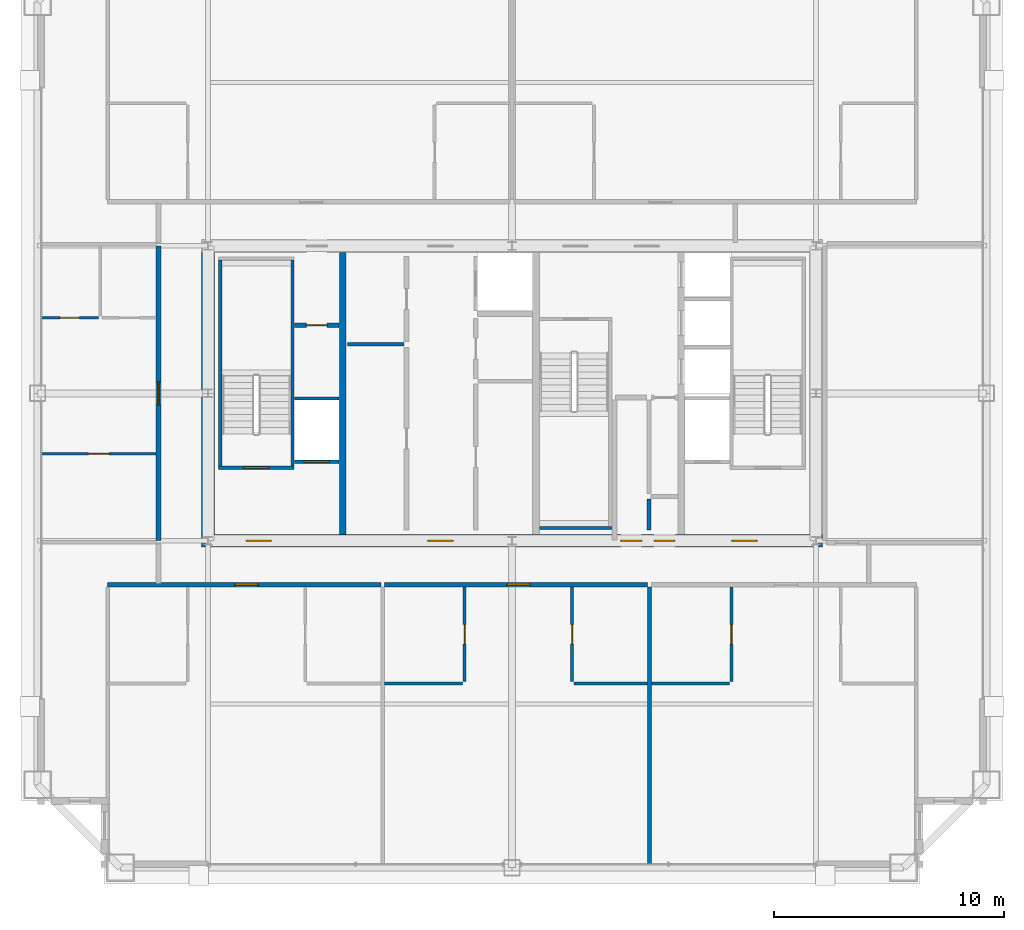
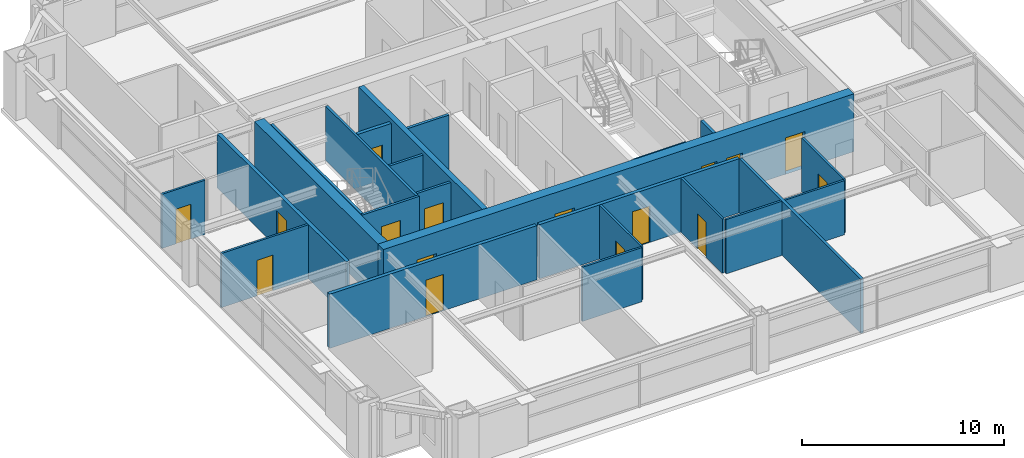
# One storey, part 33 of 37: 24 walls, 16 doors, 16 openings.
"""IFC4 building model written with IfcOpenShell, lengths in metres."""

from ifc_helpers import new_model, si_unit, direction, frame, frame_2d, origin, place, context, subcontext, project, spatial, rectangle, extrude, source, transform, mapped, material, layer, layer_set, type_object, element, fill, save


model = new_model("IFC4")

# Units and contexts
model_context = context("Model", 3, precision=1e-05, world=origin(), true_north=direction((0.0, 1.0)))
body_context = subcontext(model_context, "Body", "Model", "MODEL_VIEW")
ifc_project = project(units=[si_unit("LENGTHUNIT", "METRE"), si_unit("AREAUNIT", "SQUARE_METRE"), si_unit("VOLUMEUNIT", "CUBIC_METRE"), si_unit("PLANEANGLEUNIT", "RADIAN"), si_unit("MASSUNIT", "GRAM", prefix="KILO"), si_unit("THERMODYNAMICTEMPERATUREUNIT", "KELVIN"), si_unit("POWERUNIT", "WATT")], contexts=[model_context])

# Site, building, storey
site_placement = place(None, origin())
site = spatial("IfcSite", under=ifc_project, at=site_placement, CompositionType="ELEMENT")
building_placement = place(site_placement, origin())
building = spatial("IfcBuilding", under=site, at=building_placement, Name="Yuzanri Waterfront Tower", CompositionType="ELEMENT")
storey_placement = place(building_placement, frame((0.0, 0.0, 275.10009765625)))
storey = spatial("IfcBuildingStorey", under=building, at=storey_placement, Name="L73", CompositionType="ELEMENT", Elevation=275.10009765625)

# Wall, opening, door
ifc_material_1 = material(Name="Moisture-Resistant Gypsum Stud Wall", Category="gypsum")
ifc_layer_1 = layer(ifc_material_1, 0.1201171875)
ifc_layer_set_1 = layer_set([ifc_layer_1], Name="Moisture-Resistant Gypsum Stud Wall")
wall_type_1 = type_object("IfcWallType", Name="Bathroom and Kitchen Wet Partition 120", PredefinedType="PARTITIONING", material=ifc_layer_set_1)
wall_1_placement = place(storey_placement, frame((34.94091796875, 13.280029296875, 0.0), z_axis=(0.0, 0.0, 1.0), x_axis=(0.0, 1.0, 0.0)))
wall_1 = element("IfcWall", 1, at=wall_1_placement, inside=storey, type_object=wall_type_1, Name="L73 Partition UW-L73-HS2-SUB-1-E", PredefinedType="PARTITIONING", context=body_context, shape_type="SweptSolid", body=[
    extrude(rectangle(XDim=4.10986328125, YDim=0.1201171875, at=frame_2d((2.054931640625, 0.0))), origin(), (0.0, 0.0, 1.0), 3.27978515625),
])
opening_1_placement = place(wall_1_placement, frame((1.6298828125, 0.0, 0.0)))
opening_1 = element("IfcOpeningElement", 2, at=opening_1_placement, cuts=wall_1, Name="Opening ID-0850", PredefinedType="OPENING", context=body_context, shape_type="SweptSolid", body=[
    extrude(rectangle(XDim=0.85009765625, YDim=2.10009765625, at=frame_2d((0.425048828125, 1.050048828125))), frame((0.0, 0.074951171875, 0.0), z_axis=(0.0, -1.0, 0.0), x_axis=(1.0, 0.0, 0.0)), (0.0, 0.0, 1.0), 0.14990234375),
])
ifc_material_2 = material(Name="Moisture-Resistant Lacquered Timber", Category="wood")
door_type_1 = type_object("IfcDoorType", Name="En-Suite Bathroom and Kitchen Swing Door 850x2100", OperationType="NOTDEFINED", PredefinedType="DOOR", material=ifc_material_2)
shared_shape_1 = source(origin(), body_context, "Body", "SweptSolid", [
    extrude(rectangle(XDim=0.85009765625, YDim=2.10009765625, at=frame_2d((0.425048828125, 1.050048828125))), frame((0.0, 0.02490234375, 0.0), z_axis=(0.0, -1.0, 0.0), x_axis=(1.0, 0.0, 0.0)), (0.0, 0.0, 1.0), 0.050048828125),
])
door_1_placement = place(opening_1_placement, origin())
door_1 = element("IfcDoor", 3, at=door_1_placement, inside=storey, type_object=door_type_1, Name="L73 Suite Interior Room Door", OperationType="SINGLE_SWING_LEFT", OverallHeight=2.10009765625, OverallWidth=0.85009765625, PredefinedType="DOOR", context=body_context, shape_type="MappedRepresentation", body=[
    mapped(shared_shape_1, transform((0.0, 0.0, 0.0), scale=1.0)),
])
fill(opening_1, door_1)

wall_2_placement = place(storey_placement, frame((39.610107421875, 13.280029296875, 0.0), z_axis=(0.0, 0.0, 1.0), x_axis=(0.0, 1.0, 0.0)))
wall_2 = element("IfcWall", 4, at=wall_2_placement, inside=storey, type_object=wall_type_1, Name="L73 Partition UW-L73-HS2-SUB-2-W", PredefinedType="PARTITIONING", context=body_context, shape_type="SweptSolid", body=[
    extrude(rectangle(XDim=4.10986328125, YDim=0.1201171875, at=frame_2d((2.054931640625, 0.0))), origin(), (0.0, 0.0, 1.0), 3.27978515625),
])
opening_2_placement = place(wall_2_placement, frame((1.6298828125, 0.0, 0.0)))
opening_2 = element("IfcOpeningElement", 5, at=opening_2_placement, cuts=wall_2, Name="Opening ID-0850", PredefinedType="OPENING", context=body_context, shape_type="SweptSolid", body=[
    extrude(rectangle(XDim=0.85009765625, YDim=2.10009765625, at=frame_2d((0.425048828125, 1.050048828125))), frame((0.0, 0.074951171875, 0.0), z_axis=(0.0, -1.0, 0.0), x_axis=(1.0, 0.0, 0.0)), (0.0, 0.0, 1.0), 0.14990234375),
])
door_2_placement = place(opening_2_placement, origin())
door_2 = element("IfcDoor", 6, at=door_2_placement, inside=storey, type_object=door_type_1, Name="L73 Suite Interior Room Door", OperationType="SINGLE_SWING_RIGHT", OverallHeight=2.10009765625, OverallWidth=0.85009765625, PredefinedType="DOOR", context=body_context, shape_type="MappedRepresentation", body=[
    mapped(shared_shape_1, transform((0.0, 0.0, 0.0), scale=1.0)),
])
fill(opening_2, door_2)

wall_3_placement = place(storey_placement, frame((46.530029296875, 13.280029296875, 0.0), z_axis=(0.0, 0.0, 1.0), x_axis=(0.0, 1.0, 0.0)))
wall_3 = element("IfcWall", 7, at=wall_3_placement, inside=storey, type_object=wall_type_1, Name="L73 Partition UW-L73-HS3-SUB-1-E", PredefinedType="PARTITIONING", context=body_context, shape_type="SweptSolid", body=[
    extrude(rectangle(XDim=4.10986328125, YDim=0.1201171875, at=frame_2d((2.054931640625, 0.0))), origin(), (0.0, 0.0, 1.0), 3.27978515625),
])
opening_3_placement = place(wall_3_placement, frame((1.6298828125, 0.0, 0.0)))
opening_3 = element("IfcOpeningElement", 8, at=opening_3_placement, cuts=wall_3, Name="Opening ID-0850", PredefinedType="OPENING", context=body_context, shape_type="SweptSolid", body=[
    extrude(rectangle(XDim=0.85009765625, YDim=2.10009765625, at=frame_2d((0.425048828125, 1.050048828125))), frame((0.0, 0.074951171875, 0.0), z_axis=(0.0, -1.0, 0.0), x_axis=(1.0, 0.0, 0.0)), (0.0, 0.0, 1.0), 0.14990234375),
])
door_3_placement = place(opening_3_placement, origin())
door_3 = element("IfcDoor", 9, at=door_3_placement, inside=storey, type_object=door_type_1, Name="L73 Suite Interior Room Door", OperationType="SINGLE_SWING_RIGHT", OverallHeight=2.10009765625, OverallWidth=0.85009765625, PredefinedType="DOOR", context=body_context, shape_type="MappedRepresentation", body=[
    mapped(shared_shape_1, transform((0.0, 0.0, 0.0), scale=1.0)),
])
fill(opening_3, door_3)

wall_4_placement = place(storey_placement, frame((16.550048828125, 29.080078125, 0.0), z_axis=(0.0, 0.0, 1.0), x_axis=(1.0, 0.0, 0.0)))
wall_4 = element("IfcWall", 10, at=wall_4_placement, inside=storey, type_object=wall_type_1, Name="L73 Partition UW-L73-HW1-SUB-1-S", PredefinedType="PARTITIONING", context=body_context, shape_type="SweptSolid", body=[
    extrude(rectangle(XDim=2.48486328125, YDim=0.1201171875, at=frame_2d((1.242431640625, 0.0))), origin(), (0.0, 0.0, 1.0), 3.27978515625),
])
opening_4_placement = place(wall_4_placement, frame((0.8173828125, 0.0, 0.0)))
opening_4 = element("IfcOpeningElement", 11, at=opening_4_placement, cuts=wall_4, Name="Opening ID-0850", PredefinedType="OPENING", context=body_context, shape_type="SweptSolid", body=[
    extrude(rectangle(XDim=0.85009765625, YDim=2.10009765625, at=frame_2d((0.425048828125, 1.050048828125))), frame((0.0, 0.074951171875, 0.0), z_axis=(0.0, -1.0, 0.0), x_axis=(1.0, 0.0, 0.0)), (0.0, 0.0, 1.0), 0.14990234375),
])
door_4_placement = place(opening_4_placement, origin())
door_4 = element("IfcDoor", 12, at=door_4_placement, inside=storey, type_object=door_type_1, Name="L73 Suite Interior Room Door", OperationType="SINGLE_SWING_LEFT", OverallHeight=2.10009765625, OverallWidth=0.85009765625, PredefinedType="DOOR", context=body_context, shape_type="MappedRepresentation", body=[
    mapped(shared_shape_1, transform((0.0, 0.0, 0.0), scale=1.0)),
])
fill(opening_4, door_4)

wall_5_placement = place(storey_placement, frame((16.550048828125, 23.179931640625, 0.0), z_axis=(0.0, 0.0, 1.0), x_axis=(1.0, 0.0, 0.0)))
wall_5 = element("IfcWall", 13, at=wall_5_placement, inside=storey, type_object=wall_type_1, Name="L73 Partition UW-L73-HW1-SUB-3-N", PredefinedType="PARTITIONING", context=body_context, shape_type="SweptSolid", body=[
    extrude(rectangle(XDim=5.0, YDim=0.1201171875, at=frame_2d((2.5, 0.0))), origin(), (0.0, 0.0, 1.0), 3.27978515625),
])
opening_5_placement = place(wall_5_placement, frame((2.050048828125, 0.0, 0.0)))
opening_5 = element("IfcOpeningElement", 14, at=opening_5_placement, cuts=wall_5, Name="Opening ID-0900", PredefinedType="OPENING", context=body_context, shape_type="SweptSolid", body=[
    extrude(rectangle(XDim=0.89990234375, YDim=2.14990234375, at=frame_2d((0.449951171875, 1.074951171875))), frame((0.0, 0.074951171875, 0.0), z_axis=(0.0, -1.0, 0.0), x_axis=(1.0, 0.0, 0.0)), (0.0, 0.0, 1.0), 0.14990234375),
])
ifc_material_3 = material(Name="Stained Walnut Veneer Timber", Category="wood")
door_type_2 = type_object("IfcDoorType", Name="Bedroom and Study Interior Swing Door 900x2150", OperationType="NOTDEFINED", PredefinedType="DOOR", material=ifc_material_3)
shared_shape_2 = source(origin(), body_context, "Body", "SweptSolid", [
    extrude(rectangle(XDim=0.89990234375, YDim=2.14990234375, at=frame_2d((0.449951171875, 1.074951171875))), frame((0.0, 0.02490234375, 0.0), z_axis=(0.0, -1.0, 0.0), x_axis=(1.0, 0.0, 0.0)), (0.0, 0.0, 1.0), 0.050048828125),
])
door_5_placement = place(opening_5_placement, origin())
door_5 = element("IfcDoor", 15, at=door_5_placement, inside=storey, type_object=door_type_2, Name="L73 Suite Interior Room Door", OperationType="SINGLE_SWING_LEFT", OverallHeight=2.14990234375, OverallWidth=0.89990234375, PredefinedType="DOOR", context=body_context, shape_type="MappedRepresentation", body=[
    mapped(shared_shape_2, transform((0.0, 0.0, 0.0), scale=1.0)),
])
fill(opening_5, door_5)

# Wall, openings, doors
ifc_material_4 = material(Name="Concrete C50", Category="concrete")
ifc_layer_2 = layer(ifc_material_4, 0.550048828125)
ifc_layer_set_2 = layer_set([ifc_layer_2], Name="Concrete C50")
wall_type_2 = type_object("IfcWallType", Name="Concrete C50 Upper-Mid Zone Core Shear Wall 550", PredefinedType="SHEAR", material=ifc_layer_set_2)
wall_6_placement = place(storey_placement, frame((23.52490234375, 19.39990234375, 0.0), z_axis=(0.0, 0.0, 1.0), x_axis=(1.0, 0.0, 0.0)))
wall_6 = element("IfcWall", 16, at=wall_6_placement, inside=storey, type_object=wall_type_2, Name="L73 Core South Shear Wall", PredefinedType="SHEAR", context=body_context, shape_type="SweptSolid", body=[
    extrude(rectangle(XDim=26.9501953125, YDim=0.550048828125, at=frame_2d((13.47509765625, 0.0))), origin(), (0.0, 0.0, 1.0), 3.5),
])
opening_6_placement = place(wall_6_placement, frame((1.925048828125, 0.0, 0.0)))
opening_6 = element("IfcOpeningElement", 17, at=opening_6_placement, cuts=wall_6, Name="Opening FD-1100", PredefinedType="OPENING", context=body_context, shape_type="SweptSolid", body=[
    extrude(rectangle(XDim=1.10009765625, YDim=2.199951171875, at=frame_2d((0.550048828125, 1.10009765625))), frame((0.0, 0.2900390625, 0.0), z_axis=(0.0, -1.0, 0.0), x_axis=(1.0, 0.0, 0.0)), (0.0, 0.0, 1.0), 0.579833984375),
])
opening_7_placement = place(wall_6_placement, frame((9.824951171875, 0.0, 0.0)))
opening_7 = element("IfcOpeningElement", 18, at=opening_7_placement, cuts=wall_6, Name="Opening FD-1100", PredefinedType="OPENING", context=body_context, shape_type="SweptSolid", body=[
    extrude(rectangle(XDim=1.10009765625, YDim=2.199951171875, at=frame_2d((0.550048828125, 1.10009765625))), frame((0.0, 0.2900390625, 0.0), z_axis=(0.0, -1.0, 0.0), x_axis=(1.0, 0.0, 0.0)), (0.0, 0.0, 1.0), 0.579833984375),
])
opening_8_placement = place(wall_6_placement, frame((23.02490234375, 0.0, 0.0)))
opening_8 = element("IfcOpeningElement", 19, at=opening_8_placement, cuts=wall_6, Name="Opening FD-1100", PredefinedType="OPENING", context=body_context, shape_type="SweptSolid", body=[
    extrude(rectangle(XDim=1.10009765625, YDim=2.199951171875, at=frame_2d((0.550048828125, 1.10009765625))), frame((0.0, 0.2900390625, 0.0), z_axis=(0.0, -1.0, 0.0), x_axis=(1.0, 0.0, 0.0)), (0.0, 0.0, 1.0), 0.579833984375),
])
opening_9_placement = place(wall_6_placement, frame((19.64501953125, 0.0, 0.0)))
opening_9 = element("IfcOpeningElement", 20, at=opening_9_placement, cuts=wall_6, Name="Opening FD-0900", PredefinedType="OPENING", context=body_context, shape_type="SweptSolid", body=[
    extrude(rectangle(XDim=0.89990234375, YDim=2.14990234375, at=frame_2d((0.449951171875, 1.074951171875))), frame((0.0, 0.2900390625, 0.0), z_axis=(0.0, -1.0, 0.0), x_axis=(1.0, 0.0, 0.0)), (0.0, 0.0, 1.0), 0.579833984375),
])
opening_10_placement = place(wall_6_placement, frame((18.205078125, 0.0, 0.0)))
opening_10 = element("IfcOpeningElement", 21, at=opening_10_placement, cuts=wall_6, Name="Opening FD-0900", PredefinedType="OPENING", context=body_context, shape_type="SweptSolid", body=[
    extrude(rectangle(XDim=0.89990234375, YDim=2.14990234375, at=frame_2d((0.449951171875, 1.074951171875))), frame((0.0, 0.2900390625, 0.0), z_axis=(0.0, -1.0, 0.0), x_axis=(1.0, 0.0, 0.0)), (0.0, 0.0, 1.0), 0.579833984375),
])
ifc_material_5 = material(Name="Painted Galvanized Fire Steel", Category="steel")
door_type_3 = type_object("IfcDoorType", Name="Smoke-Proof Stair and Lobby Fire Door 1100x2200", OperationType="NOTDEFINED", PredefinedType="DOOR", material=ifc_material_5)
shared_shape_3 = source(origin(), body_context, "Body", "SweptSolid", [
    extrude(rectangle(XDim=1.10009765625, YDim=2.199951171875, at=frame_2d((0.550048828125, 1.10009765625))), frame((0.0, 0.02490234375, 0.0), z_axis=(0.0, -1.0, 0.0), x_axis=(1.0, 0.0, 0.0)), (0.0, 0.0, 1.0), 0.050048828125),
])
door_6_placement = place(opening_6_placement, origin())
door_6 = element("IfcDoor", 22, at=door_6_placement, inside=storey, type_object=door_type_3, Name="L73 West Firefighting Lobby Door", OperationType="SINGLE_SWING_RIGHT", OverallHeight=2.199951171875, OverallWidth=1.10009765625, PredefinedType="DOOR", context=body_context, shape_type="MappedRepresentation", body=[
    mapped(shared_shape_3, transform((0.0, 0.0, 0.0), scale=1.0)),
])
fill(opening_6, door_6)
door_7_placement = place(opening_7_placement, origin())
door_7 = element("IfcDoor", 23, at=door_7_placement, inside=storey, type_object=door_type_3, Name="L73 Central Lift Lobby South Door", OperationType="SINGLE_SWING_LEFT", OverallHeight=2.199951171875, OverallWidth=1.10009765625, PredefinedType="DOOR", context=body_context, shape_type="MappedRepresentation", body=[
    mapped(shared_shape_3, transform((0.0, 0.0, 0.0), scale=1.0)),
])
fill(opening_7, door_7)
door_8_placement = place(opening_8_placement, origin())
door_8 = element("IfcDoor", 24, at=door_8_placement, inside=storey, type_object=door_type_3, Name="L73 East Firefighting Lobby Door", OperationType="SINGLE_SWING_RIGHT", OverallHeight=2.199951171875, OverallWidth=1.10009765625, PredefinedType="DOOR", context=body_context, shape_type="MappedRepresentation", body=[
    mapped(shared_shape_3, transform((0.0, 0.0, 0.0), scale=1.0)),
])
fill(opening_8, door_8)
ifc_material_6 = material(Name="Painted Galvanized Fire Steel", Category="steel")
door_type_4 = type_object("IfcDoorType", Name="Riser and Service Room Fire Door 900x2150", OperationType="NOTDEFINED", PredefinedType="DOOR", material=ifc_material_6)
shared_shape_4 = source(origin(), body_context, "Body", "SweptSolid", [
    extrude(rectangle(XDim=0.89990234375, YDim=2.14990234375, at=frame_2d((0.449951171875, 1.074951171875))), frame((0.0, 0.02490234375, 0.0), z_axis=(0.0, -1.0, 0.0), x_axis=(1.0, 0.0, 0.0)), (0.0, 0.0, 1.0), 0.050048828125),
])
door_9_placement = place(opening_9_placement, origin())
door_9 = element("IfcDoor", 25, at=door_9_placement, inside=storey, type_object=door_type_4, Name="L73 East Wet Riser Door", OperationType="SINGLE_SWING_RIGHT", OverallHeight=2.14990234375, OverallWidth=0.89990234375, PredefinedType="DOOR", context=body_context, shape_type="MappedRepresentation", body=[
    mapped(shared_shape_4, transform((0.0, 0.0, 0.0), scale=1.0)),
])
fill(opening_9, door_9)
door_10_placement = place(opening_10_placement, origin())
door_10 = element("IfcDoor", 26, at=door_10_placement, inside=storey, type_object=door_type_4, Name="L73 Cleaners Store Room", OperationType="SINGLE_SWING_LEFT", OverallHeight=2.14990234375, OverallWidth=0.89990234375, PredefinedType="DOOR", context=body_context, shape_type="MappedRepresentation", body=[
    mapped(shared_shape_4, transform((0.0, 0.0, 0.0), scale=1.0)),
])
fill(opening_10, door_10)

# Wall, opening, door
ifc_material_7 = material(Name="Concrete C40", Category="concrete")
ifc_layer_3 = layer(ifc_material_7, 0.139892578125)
ifc_layer_set_3 = layer_set([ifc_layer_3], Name="Concrete C40")
wall_type_3 = type_object("IfcWallType", Name="Core Stair Liner and Hoistway Shaft Wall 140", PredefinedType="SOLIDWALL", material=ifc_layer_set_3)
wall_7_placement = place(storey_placement, frame((27.56005859375, 22.830078125, 0.0), z_axis=(0.0, 0.0, 1.0), x_axis=(1.0, 0.0, 0.0)))
wall_7 = element("IfcWall", 27, at=wall_7_placement, inside=storey, type_object=wall_type_3, Name="L73 Lift FL-01 Front Shaft Wall", PredefinedType="SOLIDWALL", context=body_context, shape_type="SweptSolid", body=[
    extrude(rectangle(XDim=1.919921875, YDim=0.139892578125, at=frame_2d((0.9599609375, 0.0))), origin(), (0.0, 0.0, 1.0), 3.27978515625),
])
opening_11_placement = place(wall_7_placement, frame((0.409912109375, 0.0, 0.0)))
opening_11 = element("IfcOpeningElement", 28, at=opening_11_placement, cuts=wall_7, Name="Opening LD-FL-01", PredefinedType="OPENING", context=body_context, shape_type="SweptSolid", body=[
    extrude(rectangle(XDim=1.10009765625, YDim=2.199951171875, at=frame_2d((0.550048828125, 1.10009765625))), frame((0.0, 0.0849609375, 0.0), z_axis=(0.0, -1.0, 0.0), x_axis=(1.0, 0.0, 0.0)), (0.0, 0.0, 1.0), 0.169677734375),
])
ifc_material_8 = material(Name="Brushed Bronze and Stainless Steel Cab", Category="steel")
door_type_5 = type_object("IfcDoorType", Name="Center-Parting Bronze Lift Landing Sliding Door 1100x2200", OperationType="NOTDEFINED", PredefinedType="DOOR", material=ifc_material_8)
shared_shape_5 = source(origin(), body_context, "Body", "SweptSolid", [
    extrude(rectangle(XDim=1.10009765625, YDim=2.199951171875, at=frame_2d((0.550048828125, 1.10009765625))), frame((0.0, 0.02490234375, 0.0), z_axis=(0.0, -1.0, 0.0), x_axis=(1.0, 0.0, 0.0)), (0.0, 0.0, 1.0), 0.050048828125),
])
door_11_placement = place(opening_11_placement, origin())
door_11 = element("IfcDoor", 29, at=door_11_placement, inside=storey, type_object=door_type_5, Name="L73 FL-01 Lift Landing Sliding Door", OperationType="SLIDING_TO_LEFT", OverallHeight=2.199951171875, OverallWidth=1.10009765625, PredefinedType="DOOR", context=body_context, shape_type="MappedRepresentation", body=[
    mapped(shared_shape_5, transform((0.0, 0.0, 0.0), scale=1.0)),
])
fill(opening_11, door_11)

wall_8_placement = place(storey_placement, frame((24.260009765625, 22.570068359375, 0.0), z_axis=(0.0, 0.0, 1.0), x_axis=(1.0, 0.0, 0.0)))
wall_8 = element("IfcWall", 30, at=wall_8_placement, inside=storey, type_object=wall_type_3, Name="L73 Shaft Wall STW-L73-ST-01-S", PredefinedType="SOLIDWALL", context=body_context, shape_type="SweptSolid", body=[
    extrude(rectangle(XDim=3.280029296875, YDim=0.139892578125, at=frame_2d((1.64013671875, 0.0))), origin(), (0.0, 0.0, 1.0), 3.27978515625),
])
opening_12_placement = place(wall_8_placement, frame((1.090087890625, 0.0, 0.0)))
opening_12 = element("IfcOpeningElement", 31, at=opening_12_placement, cuts=wall_8, Name="Opening FD-1100", PredefinedType="OPENING", context=body_context, shape_type="SweptSolid", body=[
    extrude(rectangle(XDim=1.10009765625, YDim=2.199951171875, at=frame_2d((0.550048828125, 1.10009765625))), frame((0.0, 0.0849609375, 0.0), z_axis=(0.0, -1.0, 0.0), x_axis=(1.0, 0.0, 0.0)), (0.0, 0.0, 1.0), 0.169677734375),
])
door_12_placement = place(opening_12_placement, origin())
door_12 = element("IfcDoor", 32, at=door_12_placement, inside=storey, type_object=door_type_3, Name="L73 Stair ST-01 Fire Door", OperationType="SINGLE_SWING_LEFT", OverallHeight=2.199951171875, OverallWidth=1.10009765625, PredefinedType="DOOR", context=body_context, shape_type="MappedRepresentation", body=[
    mapped(shared_shape_3, transform((0.0, 0.0, 0.0), scale=1.0)),
])
fill(opening_12, door_12)

ifc_material_9 = material(Name="Autoclaved Aerated Concrete Blockwork", Category="masonry")
ifc_layer_4 = layer(ifc_material_9, 0.199951171875)
ifc_layer_set_4 = layer_set([ifc_layer_4], Name="Autoclaved Aerated Concrete Blockwork")
wall_type_4 = type_object("IfcWallType", Name="Corridor and Unit Party Fire Wall 200", PredefinedType="PARTITIONING", material=ifc_layer_set_4)
wall_9_placement = place(storey_placement, frame((27.56005859375, 28.75, 0.0), z_axis=(0.0, 0.0, 1.0), x_axis=(1.0, 0.0, 0.0)))
wall_9 = element("IfcWall", 33, at=wall_9_placement, inside=storey, type_object=wall_type_4, Name="L73 Partition CRW-L73-ERTR", PredefinedType="PARTITIONING", context=body_context, shape_type="SweptSolid", body=[
    extrude(rectangle(XDim=1.919921875, YDim=0.199951171875, at=frame_2d((0.9599609375, 0.0))), origin(), (0.0, 0.0, 1.0), 3.27978515625),
])
opening_13_placement = place(wall_9_placement, frame((0.510009765625, 0.0, 0.0)))
opening_13 = element("IfcOpeningElement", 34, at=opening_13_placement, cuts=wall_9, Name="Opening FD-0900", PredefinedType="OPENING", context=body_context, shape_type="SweptSolid", body=[
    extrude(rectangle(XDim=0.89990234375, YDim=2.14990234375, at=frame_2d((0.449951171875, 1.074951171875))), frame((0.0, 0.11474609375, 0.0), z_axis=(0.0, -1.0, 0.0), x_axis=(1.0, 0.0, 0.0)), (0.0, 0.0, 1.0), 0.229736328125),
])
door_13_placement = place(opening_13_placement, origin())
door_13 = element("IfcDoor", 35, at=door_13_placement, inside=storey, type_object=door_type_4, Name="L73 Electrical Riser Door", OperationType="SINGLE_SWING_LEFT", OverallHeight=2.14990234375, OverallWidth=0.89990234375, PredefinedType="DOOR", context=body_context, shape_type="MappedRepresentation", body=[
    mapped(shared_shape_4, transform((0.0, 0.0, 0.0), scale=1.0)),
])
fill(opening_13, door_13)

wall_10_placement = place(storey_placement, frame((19.43994140625, 17.489990234375, 0.0), z_axis=(0.0, 0.0, 1.0), x_axis=(1.0, 0.0, 0.0)))
wall_10 = element("IfcWall", 36, at=wall_10_placement, inside=storey, type_object=wall_type_4, Name="L73 Partition UW-L73-HS1-CN", PredefinedType="PARTITIONING", context=body_context, shape_type="SweptSolid", body=[
    extrude(rectangle(XDim=11.861083984375, YDim=0.199951171875, at=frame_2d((5.9306640625, 0.0))), origin(), (0.0, 0.0, 1.0), 3.27978515625),
])
opening_14_placement = place(wall_10_placement, frame((5.531005859375, 0.0, 0.0)))
opening_14 = element("IfcOpeningElement", 37, at=opening_14_placement, cuts=wall_10, Name="Opening FD-1000", PredefinedType="OPENING", context=body_context, shape_type="SweptSolid", body=[
    extrude(rectangle(XDim=1.0, YDim=2.199951171875, at=frame_2d((0.5, 1.10009765625))), frame((0.0, 0.11474609375, 0.0), z_axis=(0.0, -1.0, 0.0), x_axis=(1.0, 0.0, 0.0)), (0.0, 0.0, 1.0), 0.229736328125),
])
ifc_material_10 = material(Name="Engineered Oak Fire-Rated Timber", Category="wood")
door_type_6 = type_object("IfcDoorType", Name="Guestroom and Apartment Entrance Fire Door 1000x2200", OperationType="NOTDEFINED", PredefinedType="DOOR", material=ifc_material_10)
shared_shape_6 = source(origin(), body_context, "Body", "SweptSolid", [
    extrude(rectangle(XDim=1.0, YDim=2.199951171875, at=frame_2d((0.5, 1.10009765625))), frame((0.0, 0.02490234375, 0.0), z_axis=(0.0, -1.0, 0.0), x_axis=(1.0, 0.0, 0.0)), (0.0, 0.0, 1.0), 0.050048828125),
])
door_14_placement = place(opening_14_placement, origin())
door_14 = element("IfcDoor", 38, at=door_14_placement, inside=storey, type_object=door_type_6, Name="L73 Studio Living and Sleeping Room Entrance Door", OperationType="SINGLE_SWING_LEFT", OverallHeight=2.199951171875, OverallWidth=1.0, PredefinedType="DOOR", context=body_context, shape_type="MappedRepresentation", body=[
    mapped(shared_shape_6, transform((0.0, 0.0, 0.0), scale=1.0)),
])
fill(opening_14, door_14)

wall_11_placement = place(storey_placement, frame((31.4609375, 17.489990234375, 0.0), z_axis=(0.0, 0.0, 1.0), x_axis=(1.0, 0.0, 0.0)))
wall_11 = element("IfcWall", 39, at=wall_11_placement, inside=storey, type_object=wall_type_4, Name="L73 Partition UW-L73-HS2-CN", PredefinedType="PARTITIONING", context=body_context, shape_type="SweptSolid", body=[
    extrude(rectangle(XDim=11.428955078125, YDim=0.199951171875, at=frame_2d((5.71435546875, 0.0))), origin(), (0.0, 0.0, 1.0), 3.27978515625),
])
opening_15_placement = place(wall_11_placement, frame((5.31396484375, 0.0, 0.0)))
opening_15 = element("IfcOpeningElement", 40, at=opening_15_placement, cuts=wall_11, Name="Opening FD-1000", PredefinedType="OPENING", context=body_context, shape_type="SweptSolid", body=[
    extrude(rectangle(XDim=1.0, YDim=2.199951171875, at=frame_2d((0.5, 1.10009765625))), frame((0.0, 0.11474609375, 0.0), z_axis=(0.0, -1.0, 0.0), x_axis=(1.0, 0.0, 0.0)), (0.0, 0.0, 1.0), 0.229736328125),
])
door_15_placement = place(opening_15_placement, origin())
door_15 = element("IfcDoor", 41, at=door_15_placement, inside=storey, type_object=door_type_6, Name="L73 Studio Living and Sleeping Room Entrance Door", OperationType="SINGLE_SWING_RIGHT", OverallHeight=2.199951171875, OverallWidth=1.0, PredefinedType="DOOR", context=body_context, shape_type="MappedRepresentation", body=[
    mapped(shared_shape_6, transform((0.0, 0.0, 0.0), scale=1.0)),
])
fill(opening_15, door_15)

wall_12_placement = place(storey_placement, frame((21.64990234375, 19.409912109375, 0.0), z_axis=(0.0, 0.0, 1.0), x_axis=(0.0, 1.0, 0.0)))
wall_12 = element("IfcWall", 42, at=wall_12_placement, inside=storey, type_object=wall_type_4, Name="L73 Partition UW-L73-HW1-CW", PredefinedType="PARTITIONING", context=body_context, shape_type="SweptSolid", body=[
    extrude(rectangle(XDim=12.780029296875, YDim=0.199951171875, at=frame_2d((6.39013671875, 0.0))), origin(), (0.0, 0.0, 1.0), 3.27978515625),
])
opening_16_placement = place(wall_12_placement, frame((5.889892578125, 0.0, 0.0)))
opening_16 = element("IfcOpeningElement", 43, at=opening_16_placement, cuts=wall_12, Name="Opening FD-1000", PredefinedType="OPENING", context=body_context, shape_type="SweptSolid", body=[
    extrude(rectangle(XDim=1.0, YDim=2.199951171875, at=frame_2d((0.5, 1.10009765625))), frame((0.0, 0.11474609375, 0.0), z_axis=(0.0, -1.0, 0.0), x_axis=(1.0, 0.0, 0.0)), (0.0, 0.0, 1.0), 0.229736328125),
])
door_16_placement = place(opening_16_placement, origin())
door_16 = element("IfcDoor", 44, at=door_16_placement, inside=storey, type_object=door_type_6, Name="L73 Apartment Living Room Entrance Door", OperationType="SINGLE_SWING_RIGHT", OverallHeight=2.199951171875, OverallWidth=1.0, PredefinedType="DOOR", context=body_context, shape_type="MappedRepresentation", body=[
    mapped(shared_shape_6, transform((0.0, 0.0, 0.0), scale=1.0)),
])
fill(opening_16, door_16)

# Walls
shared_shape_7 = source(origin(), body_context, "Body", "SweptSolid", [
    extrude(rectangle(XDim=12.25, YDim=0.550048828125, at=frame_2d((6.125, 0.0))), origin(), (0.0, 0.0, 1.0), 3.5),
])
wall_13_placement = place(storey_placement, frame((23.800048828125, 19.675048828125, 0.0), z_axis=(0.0, 0.0, 1.0), x_axis=(0.0, 1.0, 0.0)))
element("IfcWall", 45, at=wall_13_placement, inside=storey, type_object=wall_type_2, Name="L73 Core West Shear Wall", PredefinedType="SHEAR", context=body_context, shape_type="MappedRepresentation", body=[
    mapped(shared_shape_7, transform((0.0, 0.0, 0.0), scale=1.0)),
])
ifc_material_11 = material(Name="Concrete C50", Category="concrete")
ifc_layer_5 = layer(ifc_material_11, 0.300048828125)
ifc_layer_set_5 = layer_set([ifc_layer_5], Name="Concrete C50")
wall_type_5 = type_object("IfcWallType", Name="Concrete C50 Internal Core Shaft Structural Wall 300", PredefinedType="SOLIDWALL", material=ifc_layer_set_5)
shared_shape_8 = source(origin(), body_context, "Body", "SweptSolid", [
    extrude(rectangle(XDim=12.25, YDim=0.300048828125, at=frame_2d((6.125, 0.0))), origin(), (0.0, 0.0, 1.0), 3.5),
])
wall_14_placement = place(storey_placement, frame((29.64990234375, 19.675048828125, 0.0), z_axis=(0.0, 0.0, 1.0), x_axis=(0.0, 1.0, 0.0)))
element("IfcWall", 46, at=wall_14_placement, inside=storey, type_object=wall_type_5, Name="L73 Core Internal Structural Web Wall 1", PredefinedType="SOLIDWALL", context=body_context, shape_type="MappedRepresentation", body=[
    mapped(shared_shape_8, transform((0.0, 0.0, 0.0), scale=1.0)),
])
shared_shape_9 = source(origin(), body_context, "Body", "SweptSolid", [
    extrude(rectangle(XDim=1.919921875, YDim=0.139892578125, at=frame_2d((0.9599609375, 0.0))), origin(), (0.0, 0.0, 1.0), 3.27978515625),
])
wall_15_placement = place(storey_placement, frame((27.56005859375, 25.570068359375, 0.0), z_axis=(0.0, 0.0, 1.0), x_axis=(1.0, 0.0, 0.0)))
element("IfcWall", 47, at=wall_15_placement, inside=storey, type_object=wall_type_3, Name="L73 Lift FL-01 Back Shaft Wall", PredefinedType="SOLIDWALL", context=body_context, shape_type="MappedRepresentation", body=[
    mapped(shared_shape_9, transform((0.0, 0.0, 0.0), scale=1.0)),
])
shared_shape_10 = source(origin(), body_context, "Body", "SweptSolid", [
    extrude(rectangle(XDim=8.940185546875, YDim=0.139892578125, at=frame_2d((4.47021484375, 0.0))), origin(), (0.0, 0.0, 1.0), 3.27978515625),
])
for number, where, z_axis, x_axis, name in (
    (48, (24.330078125, 22.639892578125, 0.0), (0.0, 0.0, 1.0), (0.0, 1.0, 0.0), "L73 Stair ST-01 West Shaft Wall"),
    (49, (27.469970703125, 22.639892578125, 0.0), (0.0, 0.0, 1.0), (0.0, 1.0, 0.0), "L73 Stair ST-01 East Shaft Wall"),
):
    element("IfcWall", number, at=place(storey_placement, frame(where, z_axis=z_axis, x_axis=x_axis)), inside=storey, type_object=wall_type_3, Name=name, PredefinedType="SOLIDWALL", context=body_context, shape_type="MappedRepresentation", body=[
        mapped(shared_shape_10, transform((0.0, 0.0, 0.0), scale=1.0)),
    ])
shared_shape_11 = source(origin(), body_context, "Body", "SweptSolid", [
    extrude(rectangle(XDim=3.14013671875, YDim=0.139892578125, at=frame_2d((1.570068359375, 0.0))), origin(), (0.0, 0.0, 1.0), 3.27978515625),
])
wall_16_placement = place(storey_placement, frame((38.199951171875, 19.949951171875, 0.0), z_axis=(0.0, 0.0, 1.0), x_axis=(1.0, 0.0, 0.0)))
element("IfcWall", 50, at=wall_16_placement, inside=storey, type_object=wall_type_3, Name="L73 Stair ST-03 South Shaft Wall", PredefinedType="SOLIDWALL", context=body_context, shape_type="MappedRepresentation", body=[
    mapped(shared_shape_11, transform((0.0, 0.0, 0.0), scale=1.0)),
])
ifc_material_12 = material(Name="Gypsum Fireboard Acoustic Stud Wall", Category="gypsum")
ifc_layer_6 = layer(ifc_material_12, 0.159912109375)
ifc_layer_set_6 = layer_set([ifc_layer_6], Name="Gypsum Fireboard Acoustic Stud Wall")
wall_type_6 = type_object("IfcWallType", Name="Acoustic Suite Demising Partition 160", PredefinedType="PARTITIONING", material=ifc_layer_set_6)
shared_shape_12 = source(origin(), body_context, "Body", "SweptSolid", [
    extrude(rectangle(XDim=2.469970703125, YDim=0.159912109375, at=frame_2d((1.23486328125, 0.0))), origin(), (0.0, 0.0, 1.0), 3.27978515625),
])
wall_17_placement = place(storey_placement, frame((29.85009765625, 27.929931640625, 0.0), z_axis=(0.0, 0.0, 1.0), x_axis=(1.0, 0.0, 0.0)))
element("IfcWall", 51, at=wall_17_placement, inside=storey, type_object=wall_type_6, Name="L73 Reclaimed Core Divider 2", PredefinedType="PARTITIONING", context=body_context, shape_type="MappedRepresentation", body=[
    mapped(shared_shape_12, transform((0.0, 0.0, 0.0), scale=1.0)),
])
shared_shape_13 = source(origin(), body_context, "Body", "SweptSolid", [
    extrude(rectangle(XDim=1.33984375, YDim=0.159912109375, at=frame_2d((0.669921875, 0.0))), origin(), (0.0, 0.0, 1.0), 3.27978515625),
])
wall_18_placement = place(storey_placement, frame((42.949951171875, 19.860107421875, 0.0), z_axis=(0.0, 0.0, 1.0), x_axis=(0.0, 1.0, 0.0)))
element("IfcWall", 52, at=wall_18_placement, inside=storey, type_object=wall_type_6, Name="L73 East Wet Riser West Wall", PredefinedType="PARTITIONING", context=body_context, shape_type="MappedRepresentation", body=[
    mapped(shared_shape_13, transform((0.0, 0.0, 0.0), scale=1.0)),
])
shared_shape_14 = source(origin(), body_context, "Body", "SweptSolid", [
    extrude(rectangle(XDim=12.039794921875, YDim=0.159912109375, at=frame_2d((6.02001953125, 0.0))), origin(), (0.0, 0.0, 1.0), 3.27978515625),
])
wall_19_placement = place(storey_placement, frame((42.969970703125, 5.35009765625, 0.0), z_axis=(0.0, 0.0, 1.0), x_axis=(0.0, 1.0, 0.0)))
element("IfcWall", 53, at=wall_19_placement, inside=storey, type_object=wall_type_6, Name="L73-HS2 Party Wall", PredefinedType="PARTITIONING", context=body_context, shape_type="MappedRepresentation", body=[
    mapped(shared_shape_14, transform((0.0, 0.0, 0.0), scale=1.0)),
])
shared_shape_15 = source(origin(), body_context, "Body", "SweptSolid", [
    extrude(rectangle(XDim=3.400146484375, YDim=0.1201171875, at=frame_2d((1.7001953125, 0.0))), origin(), (0.0, 0.0, 1.0), 3.27978515625),
])
wall_20_placement = place(storey_placement, frame((31.4609375, 13.199951171875, 0.0), z_axis=(0.0, 0.0, 1.0), x_axis=(1.0, 0.0, 0.0)))
element("IfcWall", 54, at=wall_20_placement, inside=storey, type_object=wall_type_1, Name="L73 Partition UW-L73-HS2-SUB-1-S", PredefinedType="PARTITIONING", context=body_context, shape_type="MappedRepresentation", body=[
    mapped(shared_shape_15, transform((0.0, 0.0, 0.0), scale=1.0)),
])
shared_shape_16 = source(origin(), body_context, "Body", "SweptSolid", [
    extrude(rectangle(XDim=3.199951171875, YDim=0.1201171875, at=frame_2d((1.60009765625, 0.0))), origin(), (0.0, 0.0, 1.0), 3.27978515625),
])
wall_21_placement = place(storey_placement, frame((39.68994140625, 13.199951171875, 0.0), z_axis=(0.0, 0.0, 1.0), x_axis=(1.0, 0.0, 0.0)))
element("IfcWall", 55, at=wall_21_placement, inside=storey, type_object=wall_type_1, Name="L73 Partition UW-L73-HS2-SUB-2-S", PredefinedType="PARTITIONING", context=body_context, shape_type="MappedRepresentation", body=[
    mapped(shared_shape_16, transform((0.0, 0.0, 0.0), scale=1.0)),
])
shared_shape_17 = source(origin(), body_context, "Body", "SweptSolid", [
    extrude(rectangle(XDim=3.39990234375, YDim=0.1201171875, at=frame_2d((1.699951171875, 0.0))), origin(), (0.0, 0.0, 1.0), 3.27978515625),
])
wall_22_placement = place(storey_placement, frame((43.050048828125, 13.199951171875, 0.0), z_axis=(0.0, 0.0, 1.0), x_axis=(1.0, 0.0, 0.0)))
element("IfcWall", 56, at=wall_22_placement, inside=storey, type_object=wall_type_1, Name="L73 Partition UW-L73-HS3-SUB-1-S", PredefinedType="PARTITIONING", context=body_context, shape_type="MappedRepresentation", body=[
    mapped(shared_shape_17, transform((0.0, 0.0, 0.0), scale=1.0)),
])

save(model, "model.ifc")
